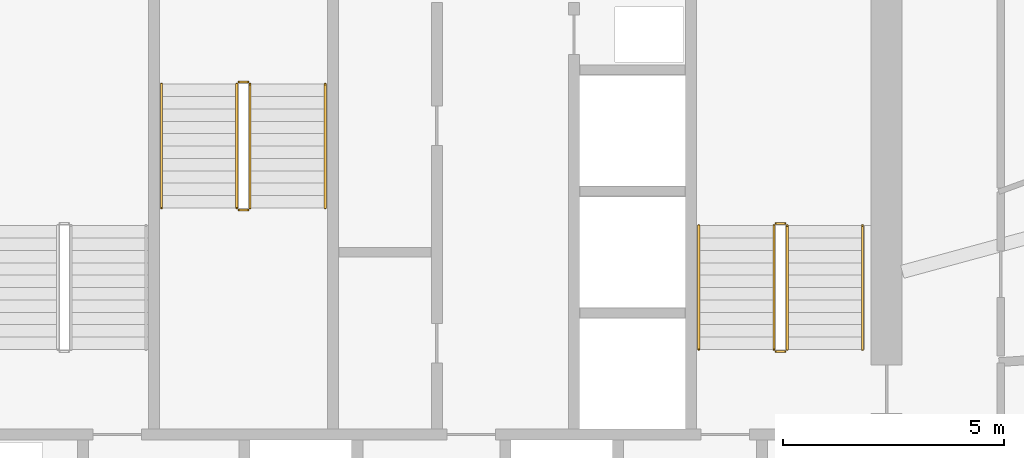
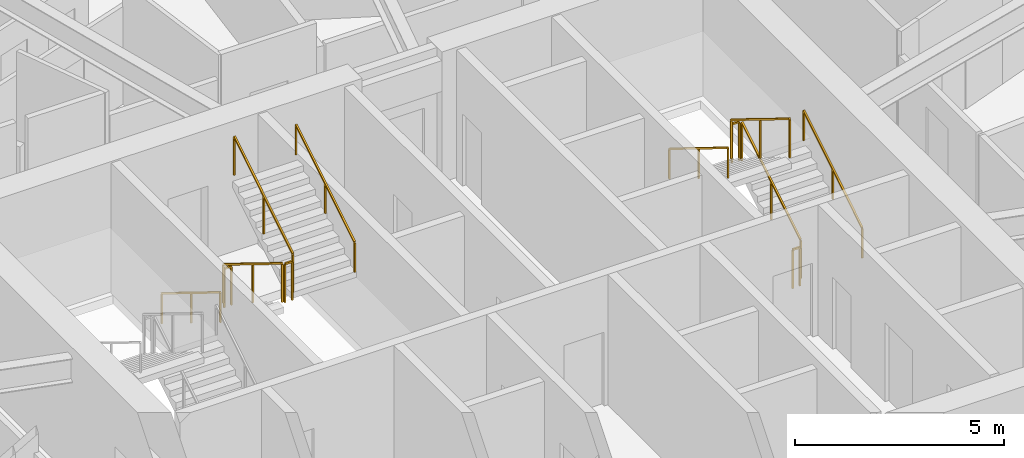
# One storey, part 33 of 34: 12 railings.
"""IFC4 building model written with IfcOpenShell, lengths in metres."""

from ifc_helpers import new_model, si_unit, direction, frame, origin, origin_2d, place, context, subcontext, project, spatial, rectangle, extrude, material, type_object, element, save


model = new_model("IFC4")

# Units and contexts
model_context = context("Model", 3, precision=1e-05, world=origin(), true_north=direction((0.0, 1.0)))
body_context = subcontext(model_context, "Body", "Model", "MODEL_VIEW")
ifc_project = project(units=[si_unit("LENGTHUNIT", "METRE"), si_unit("AREAUNIT", "SQUARE_METRE"), si_unit("VOLUMEUNIT", "CUBIC_METRE"), si_unit("PLANEANGLEUNIT", "RADIAN"), si_unit("MASSUNIT", "GRAM", prefix="KILO")], contexts=[model_context])

# Site, building, storey
site_placement = place(None, origin())
site = spatial("IfcSite", under=ifc_project, at=site_placement, CompositionType="ELEMENT")
building_placement = place(site_placement, origin())
building = spatial("IfcBuilding", under=site, at=building_placement, Name="Zuhravey Tower", CompositionType="ELEMENT")
storey_placement = place(building_placement, frame((0.0, 0.0, 100.0)))
storey = spatial("IfcBuildingStorey", under=building, at=storey_placement, Name="L24", CompositionType="ELEMENT", Elevation=100.0)

# Railings
ifc_material_1 = material(Name="Brushed stainless steel", Category="steel")
railing_type_1 = type_object("IfcRailingType", Name="Stair Wall Handrail 900", PredefinedType="HANDRAIL", material=ifc_material_1)
railing_1_placement = place(storey_placement, frame((45.949951171875, 33.199951171875, 0.172607421875)))
element("IfcRailing", 1, at=railing_1_placement, inside=storey, type_object=railing_type_1, Name="L24 ST2 stair handrail 1", PredefinedType="HANDRAIL", context=body_context, shape_type="SweptSolid", body=[
    extrude(rectangle(XDim=0.048095703125, YDim=0.048095703125, at=origin_2d()), frame((0.0, 0.001708984375, 0.876953125), z_axis=(0.0, 0.851089632645, 0.525020415988), x_axis=(-1.0, 0.0, 0.0)), (0.0, 0.0, 1.0), 3.285888671875),
    extrude(rectangle(XDim=0.0419921875, YDim=0.0419921875, at=origin_2d()), origin(), (0.0, 0.0, 1.0), 0.849853515625),
    extrude(rectangle(XDim=0.0419921875, YDim=0.0419921875, at=origin_2d()), frame((0.0, 1.39990234375, 0.86376953125)), (0.0, 0.0, 1.0), 0.849853515625),
    extrude(rectangle(XDim=0.0419921875, YDim=0.0419921875, at=origin_2d()), frame((0.0, 2.800048828125, 1.727294921875)), (0.0, 0.0, 1.0), 0.849853515625),
])
for number, where, name in (
    (2, (42.25, 36.0, 2.07275390625), "L24 ST2 stair handrail 2"),
    (3, (30.10009765625, 39.199951171875, 0.172607421875), "L24 ST3 stair handrail 1"),
):
    element("IfcRailing", number, at=place(storey_placement, frame(where)), inside=storey, type_object=railing_type_1, Name=name, PredefinedType="HANDRAIL", context=body_context, shape_type="SweptSolid", body=[
        extrude(rectangle(XDim=0.048095703125, YDim=0.048095703125, at=origin_2d()), frame((0.0, -0.001708984375, 0.876953125), z_axis=(0.0, -0.851089632645, 0.525020415988), x_axis=(1.0, 0.0, 0.0)), (0.0, 0.0, 1.0), 3.285888671875),
        extrude(rectangle(XDim=0.0419921875, YDim=0.0419921875, at=origin_2d()), origin(), (0.0, 0.0, 1.0), 0.849853515625),
        extrude(rectangle(XDim=0.0419921875, YDim=0.0419921875, at=origin_2d()), frame((0.0, -1.39990234375, 0.86376953125)), (0.0, 0.0, 1.0), 0.849853515625),
        extrude(rectangle(XDim=0.0419921875, YDim=0.0419921875, at=origin_2d()), frame((0.0, -2.800048828125, 1.727294921875)), (0.0, 0.0, 1.0), 0.849853515625),
    ])
railing_2_placement = place(storey_placement, frame((33.800048828125, 36.39990234375, 2.07275390625)))
element("IfcRailing", 4, at=railing_2_placement, inside=storey, type_object=railing_type_1, Name="L24 ST3 stair handrail 2", PredefinedType="HANDRAIL", context=body_context, shape_type="SweptSolid", body=[
    extrude(rectangle(XDim=0.048095703125, YDim=0.048095703125, at=origin_2d()), frame((0.0, 0.001708984375, 0.876953125), z_axis=(0.0, 0.851089632645, 0.525020415988), x_axis=(-1.0, 0.0, 0.0)), (0.0, 0.0, 1.0), 3.285888671875),
    extrude(rectangle(XDim=0.0419921875, YDim=0.0419921875, at=origin_2d()), origin(), (0.0, 0.0, 1.0), 0.849853515625),
    extrude(rectangle(XDim=0.0419921875, YDim=0.0419921875, at=origin_2d()), frame((0.0, 1.39990234375, 0.86376953125)), (0.0, 0.0, 1.0), 0.849853515625),
    extrude(rectangle(XDim=0.0419921875, YDim=0.0419921875, at=origin_2d()), frame((0.0, 2.800048828125, 1.727294921875)), (0.0, 0.0, 1.0), 0.849853515625),
])
ifc_material_2 = material(Name="Painted tubular steel", Category="steel")
railing_type_2 = type_object("IfcRailingType", Name="Stair Well Guardrail 1150", PredefinedType="GUARDRAIL", material=ifc_material_2)
railing_3_placement = place(storey_placement, frame((44.25, 33.199951171875, 0.172607421875)))
element("IfcRailing", 5, at=railing_3_placement, inside=storey, type_object=railing_type_2, Name="L24 ST2 stair guard 1", PredefinedType="GUARDRAIL", context=body_context, shape_type="SweptSolid", body=[
    extrude(rectangle(XDim=0.048095703125, YDim=0.048095703125, at=origin_2d()), frame((0.0, 0.001708984375, 1.126953125), z_axis=(0.0, 0.851089632645, 0.525020415988), x_axis=(-1.0, 0.0, 0.0)), (0.0, 0.0, 1.0), 3.285888671875),
    extrude(rectangle(XDim=0.0419921875, YDim=0.0419921875, at=origin_2d()), origin(), (0.0, 0.0, 1.0), 1.099853515625),
    extrude(rectangle(XDim=0.0419921875, YDim=0.0419921875, at=origin_2d()), frame((0.0, 1.39990234375, 0.86376953125)), (0.0, 0.0, 1.0), 1.099853515625),
    extrude(rectangle(XDim=0.0419921875, YDim=0.0419921875, at=origin_2d()), frame((0.0, 2.800048828125, 1.727294921875)), (0.0, 0.0, 1.0), 1.099853515625),
])
railing_4_placement = place(storey_placement, frame((44.199951171875, 36.050048828125, 1.89990234375)))
element("IfcRailing", 6, at=railing_4_placement, inside=storey, type_object=railing_type_2, Name="L24 ST2 stair guard 2", PredefinedType="GUARDRAIL", context=body_context, shape_type="SweptSolid", body=[
    extrude(rectangle(XDim=0.048095703125, YDim=0.048095703125, at=origin_2d()), frame((-0.001953125, 0.0, 1.1259765625), z_axis=(-1.0, 0.0, 0.0), x_axis=(0.0, -1.0, 0.0)), (0.0, 0.0, 1.0), 0.196044921875),
    extrude(rectangle(XDim=0.0419921875, YDim=0.0419921875, at=origin_2d()), origin(), (0.0, 0.0, 1.0), 1.099853515625),
    extrude(rectangle(XDim=0.0419921875, YDim=0.0419921875, at=origin_2d()), frame((-0.199951171875, 0.0, 0.0)), (0.0, 0.0, 1.0), 1.099853515625),
])
railing_5_placement = place(storey_placement, frame((43.949951171875, 36.0, 2.07275390625)))
element("IfcRailing", 7, at=railing_5_placement, inside=storey, type_object=railing_type_2, Name="L24 ST2 stair guard 3", PredefinedType="GUARDRAIL", context=body_context, shape_type="SweptSolid", body=[
    extrude(rectangle(XDim=0.048095703125, YDim=0.048095703125, at=origin_2d()), frame((0.0, -0.001708984375, 1.126953125), z_axis=(0.0, -0.851089632645, 0.525020415988), x_axis=(1.0, 0.0, 0.0)), (0.0, 0.0, 1.0), 3.285888671875),
    extrude(rectangle(XDim=0.0419921875, YDim=0.0419921875, at=origin_2d()), origin(), (0.0, 0.0, 1.0), 1.099853515625),
    extrude(rectangle(XDim=0.0419921875, YDim=0.0419921875, at=origin_2d()), frame((0.0, -1.39990234375, 0.86376953125)), (0.0, 0.0, 1.0), 1.099853515625),
    extrude(rectangle(XDim=0.0419921875, YDim=0.0419921875, at=origin_2d()), frame((0.0, -2.800048828125, 1.727294921875)), (0.0, 0.0, 1.0), 1.099853515625),
])
railing_6_placement = place(storey_placement, frame((44.199951171875, 33.14990234375, 0.0)))
element("IfcRailing", 8, at=railing_6_placement, inside=storey, type_object=railing_type_2, Name="L24 ST2 stair guard 4", PredefinedType="GUARDRAIL", context=body_context, shape_type="SweptSolid", body=[
    extrude(rectangle(XDim=0.048095703125, YDim=0.048095703125, at=origin_2d()), frame((-0.001953125, 0.0, 1.1259765625), z_axis=(-1.0, 0.0, 0.0), x_axis=(0.0, -1.0, 0.0)), (0.0, 0.0, 1.0), 0.196044921875),
    extrude(rectangle(XDim=0.0419921875, YDim=0.0419921875, at=origin_2d()), origin(), (0.0, 0.0, 1.0), 1.099853515625),
    extrude(rectangle(XDim=0.0419921875, YDim=0.0419921875, at=origin_2d()), frame((-0.199951171875, 0.0, 0.0)), (0.0, 0.0, 1.0), 1.099853515625),
])
railing_7_placement = place(storey_placement, frame((31.800048828125, 39.199951171875, 0.172607421875)))
element("IfcRailing", 9, at=railing_7_placement, inside=storey, type_object=railing_type_2, Name="L24 ST3 stair guard 1", PredefinedType="GUARDRAIL", context=body_context, shape_type="SweptSolid", body=[
    extrude(rectangle(XDim=0.048095703125, YDim=0.048095703125, at=origin_2d()), frame((0.0, -0.001708984375, 1.126953125), z_axis=(0.0, -0.851089632645, 0.525020415988), x_axis=(1.0, 0.0, 0.0)), (0.0, 0.0, 1.0), 3.285888671875),
    extrude(rectangle(XDim=0.0419921875, YDim=0.0419921875, at=origin_2d()), origin(), (0.0, 0.0, 1.0), 1.099853515625),
    extrude(rectangle(XDim=0.0419921875, YDim=0.0419921875, at=origin_2d()), frame((0.0, -1.39990234375, 0.86376953125)), (0.0, 0.0, 1.0), 1.099853515625),
    extrude(rectangle(XDim=0.0419921875, YDim=0.0419921875, at=origin_2d()), frame((0.0, -2.800048828125, 1.727294921875)), (0.0, 0.0, 1.0), 1.099853515625),
])
railing_8_placement = place(storey_placement, frame((31.85009765625, 36.35009765625, 1.89990234375)))
element("IfcRailing", 10, at=railing_8_placement, inside=storey, type_object=railing_type_2, Name="L24 ST3 stair guard 2", PredefinedType="GUARDRAIL", context=body_context, shape_type="SweptSolid", body=[
    extrude(rectangle(XDim=0.048095703125, YDim=0.048095703125, at=origin_2d()), frame((0.001953125, 0.0, 1.1259765625), z_axis=(1.0, 0.0, 0.0), x_axis=(0.0, 1.0, 0.0)), (0.0, 0.0, 1.0), 0.196044921875),
    extrude(rectangle(XDim=0.0419921875, YDim=0.0419921875, at=origin_2d()), origin(), (0.0, 0.0, 1.0), 1.099853515625),
    extrude(rectangle(XDim=0.0419921875, YDim=0.0419921875, at=origin_2d()), frame((0.199951171875, 0.0, 0.0)), (0.0, 0.0, 1.0), 1.099853515625),
])
railing_9_placement = place(storey_placement, frame((32.10009765625, 36.39990234375, 2.07275390625)))
element("IfcRailing", 11, at=railing_9_placement, inside=storey, type_object=railing_type_2, Name="L24 ST3 stair guard 3", PredefinedType="GUARDRAIL", context=body_context, shape_type="SweptSolid", body=[
    extrude(rectangle(XDim=0.048095703125, YDim=0.048095703125, at=origin_2d()), frame((0.0, 0.001708984375, 1.126953125), z_axis=(0.0, 0.851089632645, 0.525020415988), x_axis=(-1.0, 0.0, 0.0)), (0.0, 0.0, 1.0), 3.285888671875),
    extrude(rectangle(XDim=0.0419921875, YDim=0.0419921875, at=origin_2d()), origin(), (0.0, 0.0, 1.0), 1.099853515625),
    extrude(rectangle(XDim=0.0419921875, YDim=0.0419921875, at=origin_2d()), frame((0.0, 1.39990234375, 0.86376953125)), (0.0, 0.0, 1.0), 1.099853515625),
    extrude(rectangle(XDim=0.0419921875, YDim=0.0419921875, at=origin_2d()), frame((0.0, 2.800048828125, 1.727294921875)), (0.0, 0.0, 1.0), 1.099853515625),
])
railing_10_placement = place(storey_placement, frame((31.85009765625, 39.25, 0.0)))
element("IfcRailing", 12, at=railing_10_placement, inside=storey, type_object=railing_type_2, Name="L24 ST3 stair guard 4", PredefinedType="GUARDRAIL", context=body_context, shape_type="SweptSolid", body=[
    extrude(rectangle(XDim=0.048095703125, YDim=0.048095703125, at=origin_2d()), frame((0.001953125, 0.0, 1.1259765625), z_axis=(1.0, 0.0, 0.0), x_axis=(0.0, 1.0, 0.0)), (0.0, 0.0, 1.0), 0.196044921875),
    extrude(rectangle(XDim=0.0419921875, YDim=0.0419921875, at=origin_2d()), origin(), (0.0, 0.0, 1.0), 1.099853515625),
    extrude(rectangle(XDim=0.0419921875, YDim=0.0419921875, at=origin_2d()), frame((0.199951171875, 0.0, 0.0)), (0.0, 0.0, 1.0), 1.099853515625),
])

save(model, "model.ifc")
